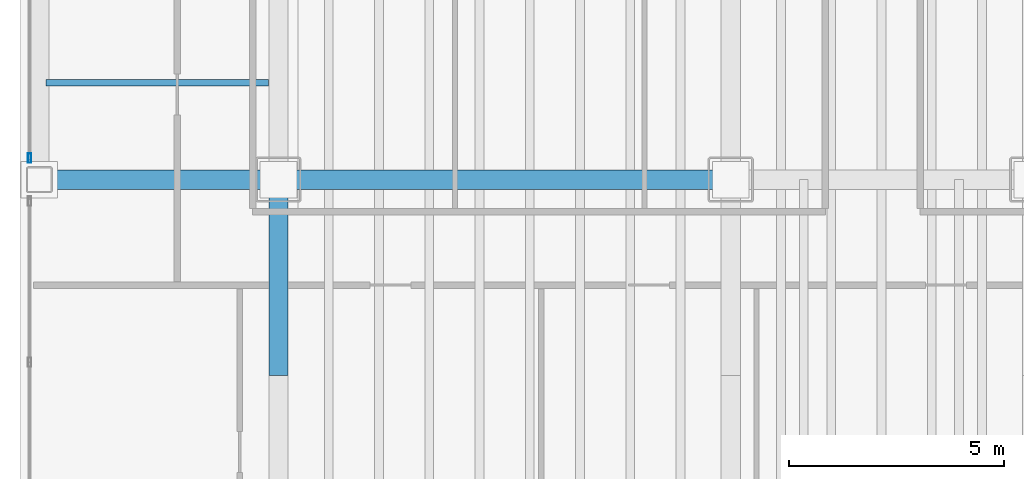
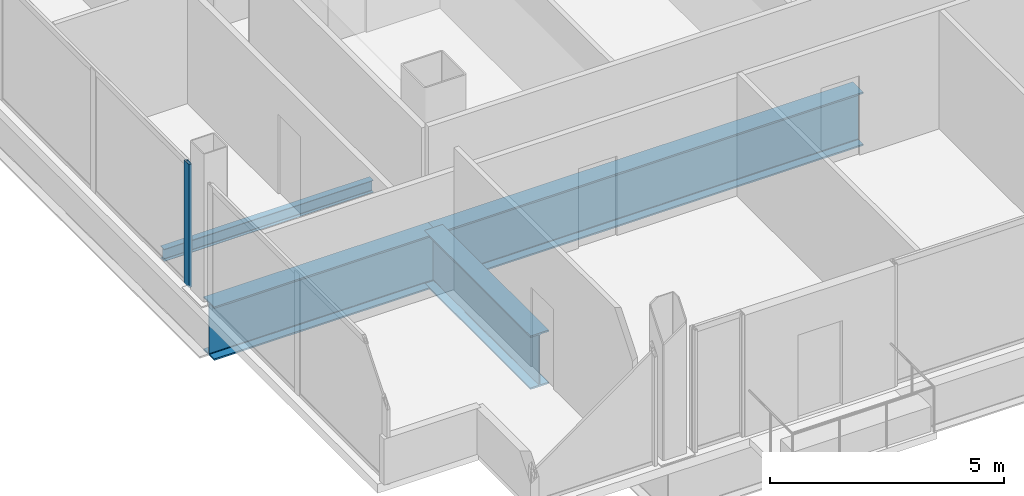
# One storey, part 3 of 21: 4 beams, 1 member, 1 element without a shape of its own.
"""IFC4 building model written with IfcOpenShell, lengths in metres."""

from ifc_helpers import new_model, si_unit, direction, frame, origin, origin_2d, place, context, subcontext, project, spatial, hollow_rectangle, i_section, extrude, material, material_profile, profile_set, type_object, element, aggregate, save


model = new_model("IFC4")

# Units and contexts
model_context = context("Model", 3, precision=1e-05, world=origin(), true_north=direction((0.0, 1.0)))
body_context = subcontext(model_context, "Body", "Model", "MODEL_VIEW")
ifc_project = project(units=[si_unit("LENGTHUNIT", "METRE"), si_unit("AREAUNIT", "SQUARE_METRE"), si_unit("VOLUMEUNIT", "CUBIC_METRE"), si_unit("PLANEANGLEUNIT", "RADIAN"), si_unit("MASSUNIT", "GRAM", prefix="KILO")], contexts=[model_context])

# Site, building, storey
site_placement = place(None, origin())
site = spatial("IfcSite", under=ifc_project, at=site_placement, CompositionType="ELEMENT")
building_placement = place(site_placement, origin())
building = spatial("IfcBuilding", under=site, at=building_placement, Name="Noeulbin Bourse Tower", CompositionType="ELEMENT")
storey_placement = place(building_placement, frame((0.0, 0.0, 81.10009765625)))
storey = spatial("IfcBuildingStorey", under=building, at=storey_placement, Name="L20", CompositionType="ELEMENT", Elevation=81.10009765625)

# Beams
ifc_material_1 = material(Name="Steel S355", Category="steel")
ifc_material_profile_1 = material_profile(ifc_material_1, i_section(OverallWidth=0.159912109375, OverallDepth=0.320068359375, WebThickness=0.006591796875, FlangeThickness=0.010009765625, FilletRadius=0.012939453125, at=origin_2d()), Name="H-320x160x6.5x10", Category="LoadBearing")
ifc_profile_set_1 = profile_set([ifc_material_profile_1], Name="Steel S355")
beam_type_1 = type_object("IfcBeamType", Name="BM-JST-320", PredefinedType="JOIST", material=ifc_profile_set_1)
beam_1_placement = place(storey_placement, frame((8.10009765625, 22.25, -0.400146484375), z_axis=(1.0, 0.0, 0.0), x_axis=(0.0, 1.0, 0.0)))
element("IfcBeam", 1, at=beam_1_placement, inside=storey, type_object=beam_type_1, Name="Wing Composite Joist L20-W70", PredefinedType="JOIST", context=body_context, shape_type="SweptSolid", body=[
    extrude(i_section(OverallWidth=0.159912109375, OverallDepth=0.320068359375, WebThickness=0.006591796875, FlangeThickness=0.010009765625, FilletRadius=0.012939453125, at=origin_2d()), origin(), (0.0, 0.0, 1.0), 5.1748046875),
])
ifc_material_2 = material(Name="Steel S460", Category="steel")
ifc_material_profile_2 = material_profile(ifc_material_2, i_section(OverallWidth=0.449951171875, OverallDepth=1.39990234375, WebThickness=0.02392578125, FlangeThickness=0.0400390625, FilletRadius=0.02392578125, at=origin_2d()), Name="PG-1400x450x24x40", Category="LoadBearing")
ifc_profile_set_2 = profile_set([ifc_material_profile_2], Name="Steel S460")
beam_type_2 = type_object("IfcBeamType", Name="BM-TRF-1400", PredefinedType="USERDEFINED", material=ifc_profile_set_2)
beam_2_placement = place(storey_placement, frame((7.949951171875, 20.0, -0.940185546875), z_axis=(1.0, 0.0, 0.0), x_axis=(0.0, 1.0, 0.0)))
element("IfcBeam", 2, at=beam_2_placement, inside=storey, type_object=beam_type_2, Name="Tower Primary Girder EW L20-1.1", ObjectType="GIRDER", PredefinedType="USERDEFINED", context=body_context, shape_type="SweptSolid", body=[
    extrude(i_section(OverallWidth=0.449951171875, OverallDepth=1.39990234375, WebThickness=0.02392578125, FlangeThickness=0.0400390625, FilletRadius=0.02392578125, at=origin_2d()), origin(), (0.0, 0.0, 1.0), 5.550048828125),
])
beam_3_placement = place(storey_placement, frame((13.5, 20.0, -0.940185546875), z_axis=(1.0, 0.0, 0.0), x_axis=(0.0, 1.0, 0.0)))
element("IfcBeam", 3, at=beam_3_placement, inside=storey, type_object=beam_type_2, Name="Tower Primary Girder EW L20-1.2", ObjectType="GIRDER", PredefinedType="USERDEFINED", context=body_context, shape_type="SweptSolid", body=[
    extrude(i_section(OverallWidth=0.449951171875, OverallDepth=1.39990234375, WebThickness=0.02392578125, FlangeThickness=0.0400390625, FilletRadius=0.02392578125, at=origin_2d()), origin(), (0.0, 0.0, 1.0), 10.5),
])
beam_4_placement = place(storey_placement, frame((13.5, 15.449951171875, -0.940185546875), z_axis=(0.0, 1.0, 0.0), x_axis=(-1.0, 0.0, 0.0)))
element("IfcBeam", 4, at=beam_4_placement, inside=storey, type_object=beam_type_2, Name="Tower Primary Girder NS L20-1.3", ObjectType="GIRDER", PredefinedType="USERDEFINED", context=body_context, shape_type="SweptSolid", body=[
    extrude(i_section(OverallWidth=0.449951171875, OverallDepth=1.39990234375, WebThickness=0.02392578125, FlangeThickness=0.0400390625, FilletRadius=0.02392578125, at=origin_2d()), origin(), (0.0, 0.0, 1.0), 4.550048828125),
])

# Curtain wall, member
ifc_material_3 = material(Name="Dark Solar-Control Double Glazing", Category="glass")
curtain_wall_type = type_object("IfcCurtainWallType", Name="CW-SYS-2", PredefinedType="NOTDEFINED", material=ifc_material_3)
curtain_wall_placement = place(storey_placement, origin())
curtain_wall = element("IfcCurtainWall", 5, at=curtain_wall_placement, inside=storey, type_object=curtain_wall_type, Name="Unitised Curtain Wall CW-L20-W-S2", PredefinedType="NOTDEFINED")
ifc_material_4 = material(Name="Anodised Aluminium 6063-T6", Category="aluminium")
ifc_material_profile_3 = material_profile(ifc_material_4, hollow_rectangle(XDim=0.074951171875, YDim=0.219970703125, WallThickness=0.0048828125, InnerFilletRadius=0.00244140625, OuterFilletRadius=0.0048828125, at=origin_2d()), Name="ALU-MULL-75x220x5", Category="LoadBearing")
ifc_profile_set_3 = profile_set([ifc_material_profile_3], Name="Anodised Aluminium 6063-T6")
member_type = type_object("IfcMemberType", Name="CW-SYS-2-MUL", PredefinedType="MULLION", material=ifc_profile_set_3)
member_placement = place(storey_placement, frame((7.719970703125, 20.5, -0.02001953125), z_axis=(0.0, 0.0, 1.0), x_axis=(1.0, 0.0, 0.0)))
member = element("IfcMember", 6, at=member_placement, type_object=member_type, Name="Curtain Wall Mullion CW-L20-W-S2-M00", PredefinedType="MULLION", context=body_context, shape_type="SweptSolid", body=[
    extrude(hollow_rectangle(XDim=0.074951171875, YDim=0.219970703125, WallThickness=0.0048828125, InnerFilletRadius=0.00244140625, OuterFilletRadius=0.0048828125, at=origin_2d()), origin(), (0.0, 0.0, 1.0), 3.219970703125),
])
aggregate(curtain_wall, [member])

save(model, "model.ifc")
